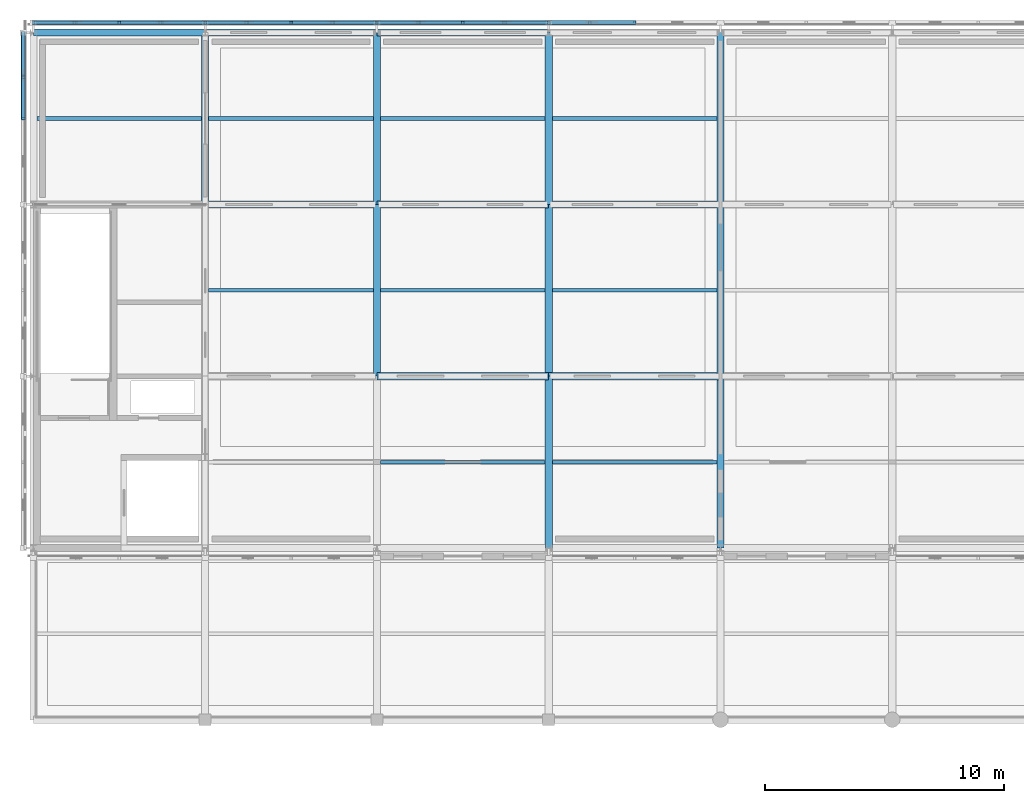
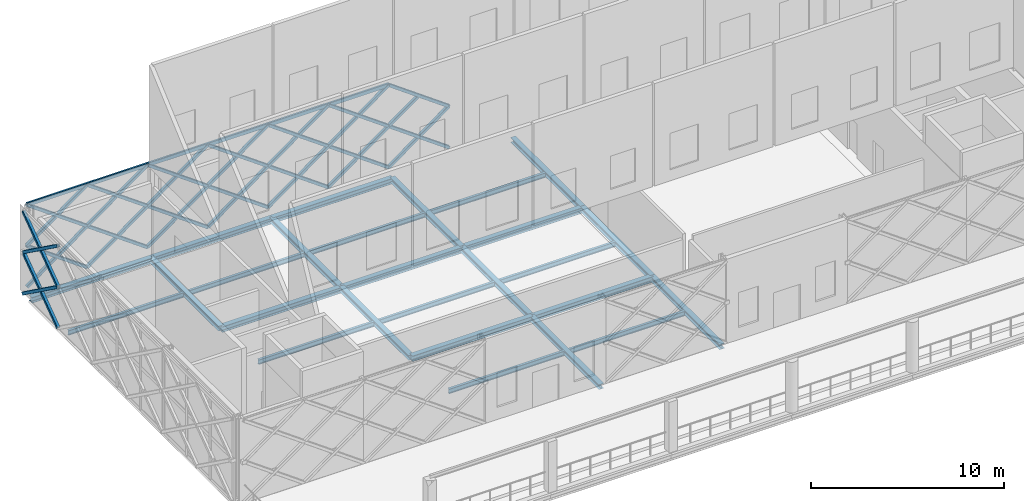
# One storey, part 15 of 31: 50 members, 26 beams.
"""IFC4 building model written with IfcOpenShell, lengths in metres."""

from ifc_helpers import new_model, si_unit, direction, frame, origin, origin_2d, place, context, subcontext, project, spatial, hollow_rectangle, i_section, extrude, material, material_profile, profile_set, type_object, element, save


model = new_model("IFC4")

# Units and contexts
model_context = context("Model", 3, precision=1e-05, world=origin(), true_north=direction((0.0, 1.0)))
body_context = subcontext(model_context, "Body", "Model", "MODEL_VIEW")
ifc_project = project(units=[si_unit("LENGTHUNIT", "METRE"), si_unit("AREAUNIT", "SQUARE_METRE"), si_unit("VOLUMEUNIT", "CUBIC_METRE"), si_unit("PLANEANGLEUNIT", "RADIAN"), si_unit("MASSUNIT", "GRAM", prefix="KILO")], contexts=[model_context])

# Site, building, storey
site_placement = place(None, origin())
site = spatial("IfcSite", under=ifc_project, at=site_placement, CompositionType="ELEMENT")
building_placement = place(site_placement, origin())
building = spatial("IfcBuilding", under=site, at=building_placement, Name="Zlatovets Crest Museum", CompositionType="ELEMENT")
storey_placement = place(building_placement, frame((0.0, 0.0, 25.199951171875)))
storey = spatial("IfcBuildingStorey", under=building, at=storey_placement, Name="L05", CompositionType="ELEMENT", Elevation=25.199951171875)

# Beams
ifc_material_1 = material(Name="Structural steel S355J2", Category="steel")
ifc_material_profile_1 = material_profile(ifc_material_1, i_section(OverallWidth=0.300048828125, OverallDepth=0.35009765625, WebThickness=0.010009765625, FlangeThickness=0.017578125, FilletRadius=0.027099609375, at=origin_2d()), Name="HEA 360")
ifc_profile_set_1 = profile_set([ifc_material_profile_1], Name="Structural steel S355J2")
beam_type_1 = type_object("IfcBeamType", Name="Beam_B-03", PredefinedType="BEAM", material=ifc_profile_set_1)
for number, where, z_axis, x_axis, name in (
    (1, (72.0, 100.800048828125, -0.4150390625), (1.0, 0.0, 0.0), (0.0, 1.0, 0.0), "V1 L05 Primary Girder B-03"),
    (2, (79.199951171875, 100.800048828125, -0.4150390625), (1.0, 0.0, 0.0), (0.0, 1.0, 0.0), "V1 L05 Primary Girder B-03"),
    (3, (64.800048828125, 108.0, -0.4150390625), (1.0, 0.0, 0.0), (0.0, 1.0, 0.0), "V1 L05 Primary Girder B-03"),
    (4, (72.0, 108.0, -0.4150390625), (1.0, 0.0, 0.0), (0.0, 1.0, 0.0), "V1 L05 Primary Girder B-03"),
    (5, (79.199951171875, 108.0, -0.4150390625), (1.0, 0.0, 0.0), (0.0, 1.0, 0.0), "V1 L05 Primary Girder B-03"),
    (6, (57.60009765625, 115.199951171875, -0.4150390625), (1.0, 0.0, 0.0), (0.0, 1.0, 0.0), "V1 L05 Primary Girder B-03"),
    (7, (64.800048828125, 115.199951171875, -0.4150390625), (1.0, 0.0, 0.0), (0.0, 1.0, 0.0), "V1 L05 Primary Girder B-03"),
    (8, (72.0, 115.199951171875, -0.4150390625), (1.0, 0.0, 0.0), (0.0, 1.0, 0.0), "V1 L05 Primary Girder B-03"),
):
    element("IfcBeam", number, at=place(storey_placement, frame(where, z_axis=z_axis, x_axis=x_axis)), inside=storey, type_object=beam_type_1, Name=name, PredefinedType="BEAM", context=body_context, shape_type="SweptSolid", body=[
        extrude(i_section(OverallWidth=0.300048828125, OverallDepth=0.35009765625, WebThickness=0.010009765625, FlangeThickness=0.017578125, FilletRadius=0.027099609375, at=origin_2d()), origin(), (0.0, 0.0, 1.0), 7.199951171875),
    ])
ifc_material_profile_2 = material_profile(ifc_material_1, i_section(OverallWidth=0.300048828125, OverallDepth=0.31005859375, WebThickness=0.009033203125, FlangeThickness=0.015380859375, FilletRadius=0.027099609375, at=origin_2d()), Name="HEA 320")
ifc_profile_set_2 = profile_set([ifc_material_profile_2], Name="Structural steel S355J2")
beam_type_2 = type_object("IfcBeamType", Name="Beam_B-04", PredefinedType="BEAM", material=ifc_profile_set_2)
for number, where, z_axis, x_axis, name in (
    (9, (64.800048828125, 108.0, -0.39501953125), (0.0, 1.0, 0.0), (-1.0, 0.0, 0.0), "V1 L05 Grid Beam B-04"),
    (10, (72.0, 100.800048828125, -0.39501953125), (0.0, 1.0, 0.0), (-1.0, 0.0, 0.0), "V1 L05 Grid Beam B-04"),
    (11, (72.0, 108.0, -0.39501953125), (0.0, 1.0, 0.0), (-1.0, 0.0, 0.0), "V1 L05 Grid Beam B-04"),
    (12, (79.199951171875, 93.60009765625, -0.39501953125), (0.0, 1.0, 0.0), (-1.0, 0.0, 0.0), "V1 L05 Grid Beam B-04"),
    (13, (79.199951171875, 100.800048828125, -0.39501953125), (0.0, 1.0, 0.0), (-1.0, 0.0, 0.0), "V1 L05 Grid Beam B-04"),
    (14, (79.199951171875, 108.0, -0.39501953125), (0.0, 1.0, 0.0), (-1.0, 0.0, 0.0), "V1 L05 Grid Beam B-04"),
    (15, (86.39990234375, 93.60009765625, -0.39501953125), (0.0, 1.0, 0.0), (-1.0, 0.0, 0.0), "V1 L05 Grid Beam B-04"),
    (16, (86.39990234375, 100.800048828125, -0.39501953125), (0.0, 1.0, 0.0), (-1.0, 0.0, 0.0), "V1 L05 Grid Beam B-04"),
    (17, (86.39990234375, 108.0, -0.39501953125), (0.0, 1.0, 0.0), (-1.0, 0.0, 0.0), "V1 L05 Grid Beam B-04"),
):
    element("IfcBeam", number, at=place(storey_placement, frame(where, z_axis=z_axis, x_axis=x_axis)), inside=storey, type_object=beam_type_2, Name=name, PredefinedType="BEAM", context=body_context, shape_type="SweptSolid", body=[
        extrude(i_section(OverallWidth=0.300048828125, OverallDepth=0.31005859375, WebThickness=0.009033203125, FlangeThickness=0.015380859375, FilletRadius=0.027099609375, at=origin_2d()), origin(), (0.0, 0.0, 1.0), 7.199951171875),
    ])
ifc_material_profile_3 = material_profile(ifc_material_1, i_section(OverallWidth=0.14990234375, OverallDepth=0.300048828125, WebThickness=0.007080078125, FlangeThickness=0.0107421875, FilletRadius=0.014892578125, at=origin_2d()), Name="IPE 300")
ifc_profile_set_3 = profile_set([ifc_material_profile_3], Name="Structural steel S355J2")
beam_type_3 = type_object("IfcBeamType", Name="Beam_J-02", PredefinedType="JOIST", material=ifc_profile_set_3)
beam_placement = place(storey_placement, frame((57.75, 111.60009765625, -0.389892578125), z_axis=(1.0, 0.0, 0.0), x_axis=(0.0, 1.0, 0.0)))
element("IfcBeam", 18, at=beam_placement, inside=storey, type_object=beam_type_3, Name="V1 L05 Composite Joist J-02", PredefinedType="JOIST", context=body_context, shape_type="SweptSolid", body=[
    extrude(i_section(OverallWidth=0.14990234375, OverallDepth=0.300048828125, WebThickness=0.007080078125, FlangeThickness=0.0107421875, FilletRadius=0.014892578125, at=origin_2d()), origin(), (0.0, 0.0, 1.0), 6.89990234375),
])
for number, where, z_axis, x_axis, name in (
    (19, (64.949951171875, 104.39990234375, -0.389892578125), (1.0, 0.0, 0.0), (0.0, 1.0, 0.0), "V1 L05 Composite Joist J-02"),
    (20, (64.949951171875, 111.60009765625, -0.389892578125), (1.0, 0.0, 0.0), (0.0, 1.0, 0.0), "V1 L05 Composite Joist J-02"),
    (21, (72.14990234375, 97.199951171875, -0.389892578125), (1.0, 0.0, 0.0), (0.0, 1.0, 0.0), "V1 L05 Composite Joist J-02"),
    (22, (72.14990234375, 104.39990234375, -0.389892578125), (1.0, 0.0, 0.0), (0.0, 1.0, 0.0), "V1 L05 Composite Joist J-02"),
    (23, (72.14990234375, 111.60009765625, -0.389892578125), (1.0, 0.0, 0.0), (0.0, 1.0, 0.0), "V1 L05 Composite Joist J-02"),
):
    element("IfcBeam", number, at=place(storey_placement, frame(where, z_axis=z_axis, x_axis=x_axis)), inside=storey, type_object=beam_type_3, Name=name, PredefinedType="JOIST", context=body_context, shape_type="SweptSolid", body=[
        extrude(i_section(OverallWidth=0.14990234375, OverallDepth=0.300048828125, WebThickness=0.007080078125, FlangeThickness=0.0107421875, FilletRadius=0.014892578125, at=origin_2d()), origin(), (0.0, 0.0, 1.0), 6.900146484375),
    ])
for number, where, z_axis, x_axis, name in (
    (24, (79.35009765625, 97.199951171875, -0.389892578125), (1.0, 0.0, 0.0), (0.0, 1.0, 0.0), "V1 L05 Composite Joist J-02"),
    (25, (79.35009765625, 104.39990234375, -0.389892578125), (1.0, 0.0, 0.0), (0.0, 1.0, 0.0), "V1 L05 Composite Joist J-02"),
    (26, (79.35009765625, 111.60009765625, -0.389892578125), (1.0, 0.0, 0.0), (0.0, 1.0, 0.0), "V1 L05 Composite Joist J-02"),
):
    element("IfcBeam", number, at=place(storey_placement, frame(where, z_axis=z_axis, x_axis=x_axis)), inside=storey, type_object=beam_type_3, Name=name, PredefinedType="JOIST", context=body_context, shape_type="SweptSolid", body=[
        extrude(i_section(OverallWidth=0.14990234375, OverallDepth=0.300048828125, WebThickness=0.007080078125, FlangeThickness=0.0107421875, FilletRadius=0.014892578125, at=origin_2d()), origin(), (0.0, 0.0, 1.0), 6.89990234375),
    ])

# Members
ifc_material_2 = material(Name="Weathering bronze-steel S355J2W", Category="steel")
ifc_material_profile_4 = material_profile(ifc_material_2, hollow_rectangle(XDim=0.179931640625, YDim=0.179931640625, WallThickness=0.010009765625, InnerFilletRadius=0.010009765625, OuterFilletRadius=0.02001953125, at=origin_2d()), Name="SHS 180x180x10.0")
ifc_profile_set_4 = profile_set([ifc_material_profile_4], Name="Weathering bronze-steel S355J2W")
member_type_1 = type_object("IfcMemberType", Name="Lattice_XL-01", PredefinedType="BRACE", material=ifc_profile_set_4)
member_1_placement = place(storey_placement, frame((82.800048828125, 115.6201171875, 0.10009765625), z_axis=(-0.810702423259, 0.0, 0.585458436545), x_axis=(0.0, -1.0, 0.0)))
element("IfcMember", 27, at=member_1_placement, inside=storey, type_object=member_type_1, Name="Continuous Bronze Lattice Diagonal", PredefinedType="BRACE", context=body_context, shape_type="SweptSolid", body=[
    extrude(hollow_rectangle(XDim=0.179931640625, YDim=0.179931640625, WallThickness=0.010009765625, InnerFilletRadius=0.010009765625, OuterFilletRadius=0.02001953125, at=origin_2d()), origin(), (0.0, 0.0, 1.0), 4.440673828125),
])
for number, where, z_axis, x_axis, name in (
    (28, (82.800048828125, 115.6201171875, 2.699951171875), (-0.810703458452, 0.0, -0.585457003079), (0.0, -1.0, 0.0), "Split Crossing Bronze Lattice Diagonal Upper"),
    (29, (80.923095703125, 115.6201171875, 1.344482421875), (-0.810703458452, 0.0, -0.585457003079), (0.0, -1.0, 0.0), "Split Crossing Bronze Lattice Diagonal Lower"),
):
    element("IfcMember", number, at=place(storey_placement, frame(where, z_axis=z_axis, x_axis=x_axis)), inside=storey, type_object=member_type_1, Name=name, PredefinedType="BRACE", context=body_context, shape_type="SweptSolid", body=[
        extrude(hollow_rectangle(XDim=0.179931640625, YDim=0.179931640625, WallThickness=0.010009765625, InnerFilletRadius=0.010009765625, OuterFilletRadius=0.02001953125, at=origin_2d()), origin(), (0.0, 0.0, 1.0), 2.12548828125),
    ])
member_2_placement = place(storey_placement, frame((82.800048828125, 115.6201171875, 2.699951171875), z_axis=(-0.810676329046, 0.0, 0.585494568313), x_axis=(0.0, -1.0, 0.0)))
element("IfcMember", 30, at=member_2_placement, inside=storey, type_object=member_type_1, Name="Continuous Bronze Lattice Diagonal", PredefinedType="BRACE", context=body_context, shape_type="SweptSolid", body=[
    extrude(hollow_rectangle(XDim=0.179931640625, YDim=0.179931640625, WallThickness=0.010009765625, InnerFilletRadius=0.010009765625, OuterFilletRadius=0.02001953125, at=origin_2d()), origin(), (0.0, 0.0, 1.0), 4.44091796875),
])
member_3_placement = place(storey_placement, frame((80.923095703125, 115.6201171875, 3.9443359375), z_axis=(-0.810703458452, 0.0, -0.585457003079), x_axis=(0.0, -1.0, 0.0)))
element("IfcMember", 31, at=member_3_placement, inside=storey, type_object=member_type_1, Name="Split Crossing Bronze Lattice Diagonal Lower", PredefinedType="BRACE", context=body_context, shape_type="SweptSolid", body=[
    extrude(hollow_rectangle(XDim=0.179931640625, YDim=0.179931640625, WallThickness=0.010009765625, InnerFilletRadius=0.010009765625, OuterFilletRadius=0.02001953125, at=origin_2d()), origin(), (0.0, 0.0, 1.0), 2.12548828125),
])
member_4_placement = place(storey_placement, frame((79.199951171875, 115.6201171875, 0.10009765625), z_axis=(-0.810683577727, 0.0, 0.585484531652), x_axis=(0.0, -1.0, 0.0)))
element("IfcMember", 32, at=member_4_placement, inside=storey, type_object=member_type_1, Name="Continuous Bronze Lattice Diagonal", PredefinedType="BRACE", context=body_context, shape_type="SweptSolid", body=[
    extrude(hollow_rectangle(XDim=0.179931640625, YDim=0.179931640625, WallThickness=0.010009765625, InnerFilletRadius=0.010009765625, OuterFilletRadius=0.02001953125, at=origin_2d()), origin(), (0.0, 0.0, 1.0), 4.4404296875),
])
for number, where, z_axis, x_axis, name in (
    (33, (79.199951171875, 115.6201171875, 2.699951171875), (-0.810664082502, 0.0, -0.585511524516), (0.0, -1.0, 0.0), "Split Crossing Bronze Lattice Diagonal Upper"),
    (34, (77.322998046875, 115.6201171875, 1.344482421875), (-0.810664082502, 0.0, -0.585511524516), (0.0, -1.0, 0.0), "Split Crossing Bronze Lattice Diagonal Lower"),
):
    element("IfcMember", number, at=place(storey_placement, frame(where, z_axis=z_axis, x_axis=x_axis)), inside=storey, type_object=member_type_1, Name=name, PredefinedType="BRACE", context=body_context, shape_type="SweptSolid", body=[
        extrude(hollow_rectangle(XDim=0.179931640625, YDim=0.179931640625, WallThickness=0.010009765625, InnerFilletRadius=0.010009765625, OuterFilletRadius=0.02001953125, at=origin_2d()), origin(), (0.0, 0.0, 1.0), 2.125244140625),
    ])
member_5_placement = place(storey_placement, frame((75.60009765625, 115.6201171875, 0.10009765625), z_axis=(-0.810702423259, 0.0, 0.585458436545), x_axis=(0.0, -1.0, 0.0)))
element("IfcMember", 35, at=member_5_placement, inside=storey, type_object=member_type_1, Name="Continuous Bronze Lattice Diagonal", PredefinedType="BRACE", context=body_context, shape_type="SweptSolid", body=[
    extrude(hollow_rectangle(XDim=0.179931640625, YDim=0.179931640625, WallThickness=0.010009765625, InnerFilletRadius=0.010009765625, OuterFilletRadius=0.02001953125, at=origin_2d()), origin(), (0.0, 0.0, 1.0), 4.440673828125),
])
member_6_placement = place(storey_placement, frame((75.60009765625, 115.6201171875, 2.699951171875), z_axis=(-0.810703458452, 0.0, -0.585457003079), x_axis=(0.0, -1.0, 0.0)))
element("IfcMember", 36, at=member_6_placement, inside=storey, type_object=member_type_1, Name="Split Crossing Bronze Lattice Diagonal Upper", PredefinedType="BRACE", context=body_context, shape_type="SweptSolid", body=[
    extrude(hollow_rectangle(XDim=0.179931640625, YDim=0.179931640625, WallThickness=0.010009765625, InnerFilletRadius=0.010009765625, OuterFilletRadius=0.02001953125, at=origin_2d()), origin(), (0.0, 0.0, 1.0), 2.12548828125),
])
member_7_placement = place(storey_placement, frame((73.722900390625, 115.6201171875, 1.344482421875), z_axis=(-0.810664082502, 0.0, -0.585511524516), x_axis=(0.0, -1.0, 0.0)))
element("IfcMember", 37, at=member_7_placement, inside=storey, type_object=member_type_1, Name="Split Crossing Bronze Lattice Diagonal Lower", PredefinedType="BRACE", context=body_context, shape_type="SweptSolid", body=[
    extrude(hollow_rectangle(XDim=0.179931640625, YDim=0.179931640625, WallThickness=0.010009765625, InnerFilletRadius=0.010009765625, OuterFilletRadius=0.02001953125, at=origin_2d()), origin(), (0.0, 0.0, 1.0), 2.125244140625),
])
member_8_placement = place(storey_placement, frame((79.199951171875, 115.6201171875, 2.699951171875), z_axis=(-0.810657481794, 0.0, 0.585520663351), x_axis=(0.0, -1.0, 0.0)))
element("IfcMember", 38, at=member_8_placement, inside=storey, type_object=member_type_1, Name="Continuous Bronze Lattice Diagonal", PredefinedType="BRACE", context=body_context, shape_type="SweptSolid", body=[
    extrude(hollow_rectangle(XDim=0.179931640625, YDim=0.179931640625, WallThickness=0.010009765625, InnerFilletRadius=0.010009765625, OuterFilletRadius=0.02001953125, at=origin_2d()), origin(), (0.0, 0.0, 1.0), 4.440673828125),
])
for number, where, z_axis, x_axis, name in (
    (39, (79.199951171875, 115.6201171875, 5.300048828125), (-0.810664082502, 0.0, -0.585511524516), (0.0, -1.0, 0.0), "Split Crossing Bronze Lattice Diagonal Upper"),
    (40, (77.322998046875, 115.6201171875, 3.9443359375), (-0.810664082502, 0.0, -0.585511524516), (0.0, -1.0, 0.0), "Split Crossing Bronze Lattice Diagonal Lower"),
):
    element("IfcMember", number, at=place(storey_placement, frame(where, z_axis=z_axis, x_axis=x_axis)), inside=storey, type_object=member_type_1, Name=name, PredefinedType="BRACE", context=body_context, shape_type="SweptSolid", body=[
        extrude(hollow_rectangle(XDim=0.179931640625, YDim=0.179931640625, WallThickness=0.010009765625, InnerFilletRadius=0.010009765625, OuterFilletRadius=0.02001953125, at=origin_2d()), origin(), (0.0, 0.0, 1.0), 2.125244140625),
    ])
member_9_placement = place(storey_placement, frame((75.60009765625, 115.6201171875, 2.699951171875), z_axis=(-0.810676329046, 0.0, 0.585494568313), x_axis=(0.0, -1.0, 0.0)))
element("IfcMember", 41, at=member_9_placement, inside=storey, type_object=member_type_1, Name="Continuous Bronze Lattice Diagonal", PredefinedType="BRACE", context=body_context, shape_type="SweptSolid", body=[
    extrude(hollow_rectangle(XDim=0.179931640625, YDim=0.179931640625, WallThickness=0.010009765625, InnerFilletRadius=0.010009765625, OuterFilletRadius=0.02001953125, at=origin_2d()), origin(), (0.0, 0.0, 1.0), 4.44091796875),
])
member_10_placement = place(storey_placement, frame((75.60009765625, 115.6201171875, 5.300048828125), z_axis=(-0.810703458452, 0.0, -0.585457003079), x_axis=(0.0, -1.0, 0.0)))
element("IfcMember", 42, at=member_10_placement, inside=storey, type_object=member_type_1, Name="Split Crossing Bronze Lattice Diagonal Upper", PredefinedType="BRACE", context=body_context, shape_type="SweptSolid", body=[
    extrude(hollow_rectangle(XDim=0.179931640625, YDim=0.179931640625, WallThickness=0.010009765625, InnerFilletRadius=0.010009765625, OuterFilletRadius=0.02001953125, at=origin_2d()), origin(), (0.0, 0.0, 1.0), 2.12548828125),
])
member_11_placement = place(storey_placement, frame((73.722900390625, 115.6201171875, 3.9443359375), z_axis=(-0.810664082502, 0.0, -0.585511524516), x_axis=(0.0, -1.0, 0.0)))
element("IfcMember", 43, at=member_11_placement, inside=storey, type_object=member_type_1, Name="Split Crossing Bronze Lattice Diagonal Lower", PredefinedType="BRACE", context=body_context, shape_type="SweptSolid", body=[
    extrude(hollow_rectangle(XDim=0.179931640625, YDim=0.179931640625, WallThickness=0.010009765625, InnerFilletRadius=0.010009765625, OuterFilletRadius=0.02001953125, at=origin_2d()), origin(), (0.0, 0.0, 1.0), 2.125244140625),
])
member_12_placement = place(storey_placement, frame((72.0, 115.6201171875, 0.10009765625), z_axis=(-0.810702423259, 0.0, 0.585458436545), x_axis=(0.0, -1.0, 0.0)))
element("IfcMember", 44, at=member_12_placement, inside=storey, type_object=member_type_1, Name="Continuous Bronze Lattice Diagonal", PredefinedType="BRACE", context=body_context, shape_type="SweptSolid", body=[
    extrude(hollow_rectangle(XDim=0.179931640625, YDim=0.179931640625, WallThickness=0.010009765625, InnerFilletRadius=0.010009765625, OuterFilletRadius=0.02001953125, at=origin_2d()), origin(), (0.0, 0.0, 1.0), 4.440673828125),
])
member_13_placement = place(storey_placement, frame((72.0, 115.6201171875, 2.699951171875), z_axis=(-0.810664082502, 0.0, -0.585511524516), x_axis=(0.0, -1.0, 0.0)))
element("IfcMember", 45, at=member_13_placement, inside=storey, type_object=member_type_1, Name="Split Crossing Bronze Lattice Diagonal Upper", PredefinedType="BRACE", context=body_context, shape_type="SweptSolid", body=[
    extrude(hollow_rectangle(XDim=0.179931640625, YDim=0.179931640625, WallThickness=0.010009765625, InnerFilletRadius=0.010009765625, OuterFilletRadius=0.02001953125, at=origin_2d()), origin(), (0.0, 0.0, 1.0), 2.125244140625),
])
member_14_placement = place(storey_placement, frame((70.123046875, 115.6201171875, 1.344482421875), z_axis=(-0.810703458452, 0.0, -0.585457003079), x_axis=(0.0, -1.0, 0.0)))
element("IfcMember", 46, at=member_14_placement, inside=storey, type_object=member_type_1, Name="Split Crossing Bronze Lattice Diagonal Lower", PredefinedType="BRACE", context=body_context, shape_type="SweptSolid", body=[
    extrude(hollow_rectangle(XDim=0.179931640625, YDim=0.179931640625, WallThickness=0.010009765625, InnerFilletRadius=0.010009765625, OuterFilletRadius=0.02001953125, at=origin_2d()), origin(), (0.0, 0.0, 1.0), 2.12548828125),
])
member_15_placement = place(storey_placement, frame((68.39990234375, 115.6201171875, 0.10009765625), z_axis=(-0.810683577727, 0.0, 0.585484531652), x_axis=(0.0, -1.0, 0.0)))
element("IfcMember", 47, at=member_15_placement, inside=storey, type_object=member_type_1, Name="Continuous Bronze Lattice Diagonal", PredefinedType="BRACE", context=body_context, shape_type="SweptSolid", body=[
    extrude(hollow_rectangle(XDim=0.179931640625, YDim=0.179931640625, WallThickness=0.010009765625, InnerFilletRadius=0.010009765625, OuterFilletRadius=0.02001953125, at=origin_2d()), origin(), (0.0, 0.0, 1.0), 4.4404296875),
])
for number, where, z_axis, x_axis, name in (
    (48, (68.39990234375, 115.6201171875, 2.699951171875), (-0.810664082502, 0.0, -0.585511524516), (0.0, -1.0, 0.0), "Split Crossing Bronze Lattice Diagonal Upper"),
    (49, (66.52294921875, 115.6201171875, 1.344482421875), (-0.810664082502, 0.0, -0.585511524516), (0.0, -1.0, 0.0), "Split Crossing Bronze Lattice Diagonal Lower"),
):
    element("IfcMember", number, at=place(storey_placement, frame(where, z_axis=z_axis, x_axis=x_axis)), inside=storey, type_object=member_type_1, Name=name, PredefinedType="BRACE", context=body_context, shape_type="SweptSolid", body=[
        extrude(hollow_rectangle(XDim=0.179931640625, YDim=0.179931640625, WallThickness=0.010009765625, InnerFilletRadius=0.010009765625, OuterFilletRadius=0.02001953125, at=origin_2d()), origin(), (0.0, 0.0, 1.0), 2.125244140625),
    ])
member_16_placement = place(storey_placement, frame((72.0, 115.6201171875, 2.699951171875), z_axis=(-0.810676329046, 0.0, 0.585494568313), x_axis=(0.0, -1.0, 0.0)))
element("IfcMember", 50, at=member_16_placement, inside=storey, type_object=member_type_1, Name="Continuous Bronze Lattice Diagonal", PredefinedType="BRACE", context=body_context, shape_type="SweptSolid", body=[
    extrude(hollow_rectangle(XDim=0.179931640625, YDim=0.179931640625, WallThickness=0.010009765625, InnerFilletRadius=0.010009765625, OuterFilletRadius=0.02001953125, at=origin_2d()), origin(), (0.0, 0.0, 1.0), 4.44091796875),
])
member_17_placement = place(storey_placement, frame((72.0, 115.6201171875, 5.300048828125), z_axis=(-0.810664082502, 0.0, -0.585511524516), x_axis=(0.0, -1.0, 0.0)))
element("IfcMember", 51, at=member_17_placement, inside=storey, type_object=member_type_1, Name="Split Crossing Bronze Lattice Diagonal Upper", PredefinedType="BRACE", context=body_context, shape_type="SweptSolid", body=[
    extrude(hollow_rectangle(XDim=0.179931640625, YDim=0.179931640625, WallThickness=0.010009765625, InnerFilletRadius=0.010009765625, OuterFilletRadius=0.02001953125, at=origin_2d()), origin(), (0.0, 0.0, 1.0), 2.125244140625),
])
member_18_placement = place(storey_placement, frame((70.123046875, 115.6201171875, 3.9443359375), z_axis=(-0.810703458452, 0.0, -0.585457003079), x_axis=(0.0, -1.0, 0.0)))
element("IfcMember", 52, at=member_18_placement, inside=storey, type_object=member_type_1, Name="Split Crossing Bronze Lattice Diagonal Lower", PredefinedType="BRACE", context=body_context, shape_type="SweptSolid", body=[
    extrude(hollow_rectangle(XDim=0.179931640625, YDim=0.179931640625, WallThickness=0.010009765625, InnerFilletRadius=0.010009765625, OuterFilletRadius=0.02001953125, at=origin_2d()), origin(), (0.0, 0.0, 1.0), 2.12548828125),
])
member_19_placement = place(storey_placement, frame((68.39990234375, 115.6201171875, 2.699951171875), z_axis=(-0.810657481794, 0.0, 0.585520663351), x_axis=(0.0, -1.0, 0.0)))
element("IfcMember", 53, at=member_19_placement, inside=storey, type_object=member_type_1, Name="Continuous Bronze Lattice Diagonal", PredefinedType="BRACE", context=body_context, shape_type="SweptSolid", body=[
    extrude(hollow_rectangle(XDim=0.179931640625, YDim=0.179931640625, WallThickness=0.010009765625, InnerFilletRadius=0.010009765625, OuterFilletRadius=0.02001953125, at=origin_2d()), origin(), (0.0, 0.0, 1.0), 4.440673828125),
])
for number, where, z_axis, x_axis, name in (
    (54, (68.39990234375, 115.6201171875, 5.300048828125), (-0.810664082502, 0.0, -0.585511524516), (0.0, -1.0, 0.0), "Split Crossing Bronze Lattice Diagonal Upper"),
    (55, (66.52294921875, 115.6201171875, 3.9443359375), (-0.810664082502, 0.0, -0.585511524516), (0.0, -1.0, 0.0), "Split Crossing Bronze Lattice Diagonal Lower"),
):
    element("IfcMember", number, at=place(storey_placement, frame(where, z_axis=z_axis, x_axis=x_axis)), inside=storey, type_object=member_type_1, Name=name, PredefinedType="BRACE", context=body_context, shape_type="SweptSolid", body=[
        extrude(hollow_rectangle(XDim=0.179931640625, YDim=0.179931640625, WallThickness=0.010009765625, InnerFilletRadius=0.010009765625, OuterFilletRadius=0.02001953125, at=origin_2d()), origin(), (0.0, 0.0, 1.0), 2.125244140625),
    ])
member_20_placement = place(storey_placement, frame((64.800048828125, 115.6201171875, 0.10009765625), z_axis=(-0.810702423259, 0.0, 0.585458436545), x_axis=(0.0, -1.0, 0.0)))
element("IfcMember", 56, at=member_20_placement, inside=storey, type_object=member_type_1, Name="Continuous Bronze Lattice Diagonal", PredefinedType="BRACE", context=body_context, shape_type="SweptSolid", body=[
    extrude(hollow_rectangle(XDim=0.179931640625, YDim=0.179931640625, WallThickness=0.010009765625, InnerFilletRadius=0.010009765625, OuterFilletRadius=0.02001953125, at=origin_2d()), origin(), (0.0, 0.0, 1.0), 4.440673828125),
])
for number, where, z_axis, x_axis, name in (
    (57, (64.800048828125, 115.6201171875, 2.699951171875), (-0.810703458452, 0.0, -0.585457003079), (0.0, -1.0, 0.0), "Split Crossing Bronze Lattice Diagonal Upper"),
    (58, (62.923095703125, 115.6201171875, 1.344482421875), (-0.810703458452, 0.0, -0.585457003079), (0.0, -1.0, 0.0), "Split Crossing Bronze Lattice Diagonal Lower"),
):
    element("IfcMember", number, at=place(storey_placement, frame(where, z_axis=z_axis, x_axis=x_axis)), inside=storey, type_object=member_type_1, Name=name, PredefinedType="BRACE", context=body_context, shape_type="SweptSolid", body=[
        extrude(hollow_rectangle(XDim=0.179931640625, YDim=0.179931640625, WallThickness=0.010009765625, InnerFilletRadius=0.010009765625, OuterFilletRadius=0.02001953125, at=origin_2d()), origin(), (0.0, 0.0, 1.0), 2.12548828125),
    ])
member_21_placement = place(storey_placement, frame((61.199951171875, 115.6201171875, 0.10009765625), z_axis=(-0.810683577727, 0.0, 0.585484531652), x_axis=(0.0, -1.0, 0.0)))
element("IfcMember", 59, at=member_21_placement, inside=storey, type_object=member_type_1, Name="Continuous Bronze Lattice Diagonal", PredefinedType="BRACE", context=body_context, shape_type="SweptSolid", body=[
    extrude(hollow_rectangle(XDim=0.179931640625, YDim=0.179931640625, WallThickness=0.010009765625, InnerFilletRadius=0.010009765625, OuterFilletRadius=0.02001953125, at=origin_2d()), origin(), (0.0, 0.0, 1.0), 4.4404296875),
])
for number, where, z_axis, x_axis, name in (
    (60, (61.199951171875, 115.6201171875, 2.699951171875), (-0.810664082502, 0.0, -0.585511524516), (0.0, -1.0, 0.0), "Split Crossing Bronze Lattice Diagonal Upper"),
    (61, (59.322998046875, 115.6201171875, 1.344482421875), (-0.810664082502, 0.0, -0.585511524516), (0.0, -1.0, 0.0), "Split Crossing Bronze Lattice Diagonal Lower"),
):
    element("IfcMember", number, at=place(storey_placement, frame(where, z_axis=z_axis, x_axis=x_axis)), inside=storey, type_object=member_type_1, Name=name, PredefinedType="BRACE", context=body_context, shape_type="SweptSolid", body=[
        extrude(hollow_rectangle(XDim=0.179931640625, YDim=0.179931640625, WallThickness=0.010009765625, InnerFilletRadius=0.010009765625, OuterFilletRadius=0.02001953125, at=origin_2d()), origin(), (0.0, 0.0, 1.0), 2.125244140625),
    ])
member_22_placement = place(storey_placement, frame((64.800048828125, 115.6201171875, 2.699951171875), z_axis=(-0.810676329046, 0.0, 0.585494568313), x_axis=(0.0, -1.0, 0.0)))
element("IfcMember", 62, at=member_22_placement, inside=storey, type_object=member_type_1, Name="Continuous Bronze Lattice Diagonal", PredefinedType="BRACE", context=body_context, shape_type="SweptSolid", body=[
    extrude(hollow_rectangle(XDim=0.179931640625, YDim=0.179931640625, WallThickness=0.010009765625, InnerFilletRadius=0.010009765625, OuterFilletRadius=0.02001953125, at=origin_2d()), origin(), (0.0, 0.0, 1.0), 4.44091796875),
])
for number, where, z_axis, x_axis, name in (
    (63, (64.800048828125, 115.6201171875, 5.300048828125), (-0.810703458452, 0.0, -0.585457003079), (0.0, -1.0, 0.0), "Split Crossing Bronze Lattice Diagonal Upper"),
    (64, (62.923095703125, 115.6201171875, 3.9443359375), (-0.810703458452, 0.0, -0.585457003079), (0.0, -1.0, 0.0), "Split Crossing Bronze Lattice Diagonal Lower"),
):
    element("IfcMember", number, at=place(storey_placement, frame(where, z_axis=z_axis, x_axis=x_axis)), inside=storey, type_object=member_type_1, Name=name, PredefinedType="BRACE", context=body_context, shape_type="SweptSolid", body=[
        extrude(hollow_rectangle(XDim=0.179931640625, YDim=0.179931640625, WallThickness=0.010009765625, InnerFilletRadius=0.010009765625, OuterFilletRadius=0.02001953125, at=origin_2d()), origin(), (0.0, 0.0, 1.0), 2.12548828125),
    ])
member_23_placement = place(storey_placement, frame((61.199951171875, 115.6201171875, 2.699951171875), z_axis=(-0.810657481794, 0.0, 0.585520663351), x_axis=(0.0, -1.0, 0.0)))
element("IfcMember", 65, at=member_23_placement, inside=storey, type_object=member_type_1, Name="Continuous Bronze Lattice Diagonal", PredefinedType="BRACE", context=body_context, shape_type="SweptSolid", body=[
    extrude(hollow_rectangle(XDim=0.179931640625, YDim=0.179931640625, WallThickness=0.010009765625, InnerFilletRadius=0.010009765625, OuterFilletRadius=0.02001953125, at=origin_2d()), origin(), (0.0, 0.0, 1.0), 4.440673828125),
])
for number, where, z_axis, x_axis, name in (
    (66, (61.199951171875, 115.6201171875, 5.300048828125), (-0.810664082502, 0.0, -0.585511524516), (0.0, -1.0, 0.0), "Split Crossing Bronze Lattice Diagonal Upper"),
    (67, (59.322998046875, 115.6201171875, 3.9443359375), (-0.810664082502, 0.0, -0.585511524516), (0.0, -1.0, 0.0), "Split Crossing Bronze Lattice Diagonal Lower"),
):
    element("IfcMember", number, at=place(storey_placement, frame(where, z_axis=z_axis, x_axis=x_axis)), inside=storey, type_object=member_type_1, Name=name, PredefinedType="BRACE", context=body_context, shape_type="SweptSolid", body=[
        extrude(hollow_rectangle(XDim=0.179931640625, YDim=0.179931640625, WallThickness=0.010009765625, InnerFilletRadius=0.010009765625, OuterFilletRadius=0.02001953125, at=origin_2d()), origin(), (0.0, 0.0, 1.0), 2.125244140625),
    ])
member_24_placement = place(storey_placement, frame((57.179931640625, 115.199951171875, 0.10009765625), z_axis=(0.0, -0.810683577727, 0.585484531652), x_axis=(1.0, 0.0, 0.0)))
element("IfcMember", 68, at=member_24_placement, inside=storey, type_object=member_type_1, Name="Continuous Bronze Lattice Diagonal", PredefinedType="BRACE", context=body_context, shape_type="SweptSolid", body=[
    extrude(hollow_rectangle(XDim=0.179931640625, YDim=0.179931640625, WallThickness=0.010009765625, InnerFilletRadius=0.010009765625, OuterFilletRadius=0.02001953125, at=origin_2d()), origin(), (0.0, 0.0, 1.0), 4.4404296875),
])
for number, where, z_axis, x_axis, name in (
    (69, (57.179931640625, 115.199951171875, 2.699951171875), (0.0, -0.810664082502, -0.585511524516), (1.0, 0.0, 0.0), "Split Crossing Bronze Lattice Diagonal Upper"),
    (70, (57.179931640625, 113.322998046875, 1.344482421875), (0.0, -0.810664082502, -0.585511524516), (1.0, 0.0, 0.0), "Split Crossing Bronze Lattice Diagonal Lower"),
):
    element("IfcMember", number, at=place(storey_placement, frame(where, z_axis=z_axis, x_axis=x_axis)), inside=storey, type_object=member_type_1, Name=name, PredefinedType="BRACE", context=body_context, shape_type="SweptSolid", body=[
        extrude(hollow_rectangle(XDim=0.179931640625, YDim=0.179931640625, WallThickness=0.010009765625, InnerFilletRadius=0.010009765625, OuterFilletRadius=0.02001953125, at=origin_2d()), origin(), (0.0, 0.0, 1.0), 2.125244140625),
    ])
member_25_placement = place(storey_placement, frame((57.179931640625, 115.199951171875, 2.699951171875), z_axis=(0.0, -0.810657481794, 0.585520663351), x_axis=(1.0, 0.0, 0.0)))
element("IfcMember", 71, at=member_25_placement, inside=storey, type_object=member_type_1, Name="Continuous Bronze Lattice Diagonal", PredefinedType="BRACE", context=body_context, shape_type="SweptSolid", body=[
    extrude(hollow_rectangle(XDim=0.179931640625, YDim=0.179931640625, WallThickness=0.010009765625, InnerFilletRadius=0.010009765625, OuterFilletRadius=0.02001953125, at=origin_2d()), origin(), (0.0, 0.0, 1.0), 4.440673828125),
])
for number, where, z_axis, x_axis, name in (
    (72, (57.179931640625, 115.199951171875, 5.300048828125), (0.0, -0.810664082502, -0.585511524516), (1.0, 0.0, 0.0), "Split Crossing Bronze Lattice Diagonal Upper"),
    (73, (57.179931640625, 113.322998046875, 3.9443359375), (0.0, -0.810664082502, -0.585511524516), (1.0, 0.0, 0.0), "Split Crossing Bronze Lattice Diagonal Lower"),
):
    element("IfcMember", number, at=place(storey_placement, frame(where, z_axis=z_axis, x_axis=x_axis)), inside=storey, type_object=member_type_1, Name=name, PredefinedType="BRACE", context=body_context, shape_type="SweptSolid", body=[
        extrude(hollow_rectangle(XDim=0.179931640625, YDim=0.179931640625, WallThickness=0.010009765625, InnerFilletRadius=0.010009765625, OuterFilletRadius=0.02001953125, at=origin_2d()), origin(), (0.0, 0.0, 1.0), 2.125244140625),
    ])
ifc_material_profile_5 = material_profile(ifc_material_2, hollow_rectangle(XDim=0.1201171875, YDim=0.239990234375, WallThickness=0.010009765625, InnerFilletRadius=0.010009765625, OuterFilletRadius=0.02001953125, at=origin_2d()), Name="RHS 120x240x10.0")
ifc_profile_set_5 = profile_set([ifc_material_profile_5], Name="Weathering bronze-steel S355J2W")
member_type_2 = type_object("IfcMemberType", Name="Lattice_XL-04", PredefinedType="CHORD", material=ifc_profile_set_5)
for number, where, z_axis, x_axis, name in (
    (74, (79.199951171875, 115.6201171875, 5.300048828125), (-1.0, 0.0, 0.0), (0.0, -1.0, 0.0), "Art Nouveau Woven Cage Collector Ring Chord"),
    (75, (72.0, 115.6201171875, 5.300048828125), (-1.0, 0.0, 0.0), (0.0, -1.0, 0.0), "Art Nouveau Woven Cage Collector Ring Chord"),
    (76, (64.800048828125, 115.6201171875, 5.300048828125), (-1.0, 0.0, 0.0), (0.0, -1.0, 0.0), "Art Nouveau Woven Cage Collector Ring Chord"),
):
    element("IfcMember", number, at=place(storey_placement, frame(where, z_axis=z_axis, x_axis=x_axis)), inside=storey, type_object=member_type_2, Name=name, PredefinedType="CHORD", context=body_context, shape_type="SweptSolid", body=[
        extrude(hollow_rectangle(XDim=0.1201171875, YDim=0.239990234375, WallThickness=0.010009765625, InnerFilletRadius=0.010009765625, OuterFilletRadius=0.02001953125, at=origin_2d()), origin(), (0.0, 0.0, 1.0), 7.199951171875),
    ])

save(model, "model.ifc")
